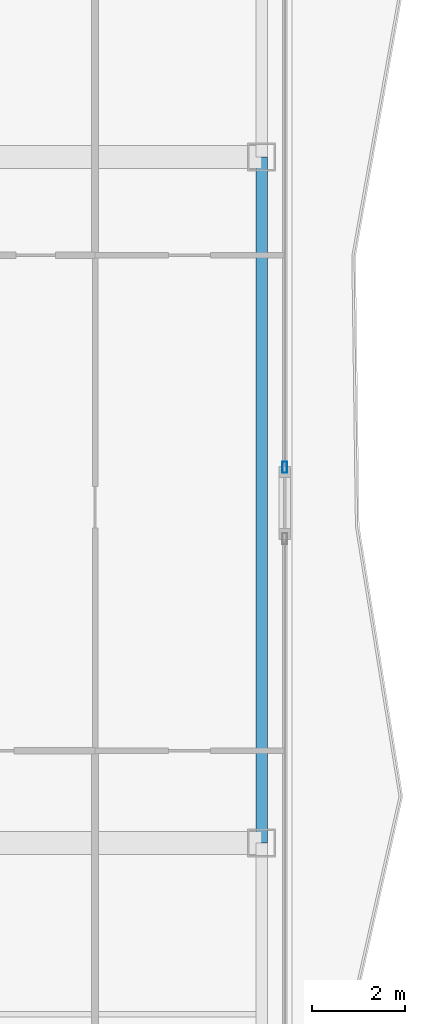
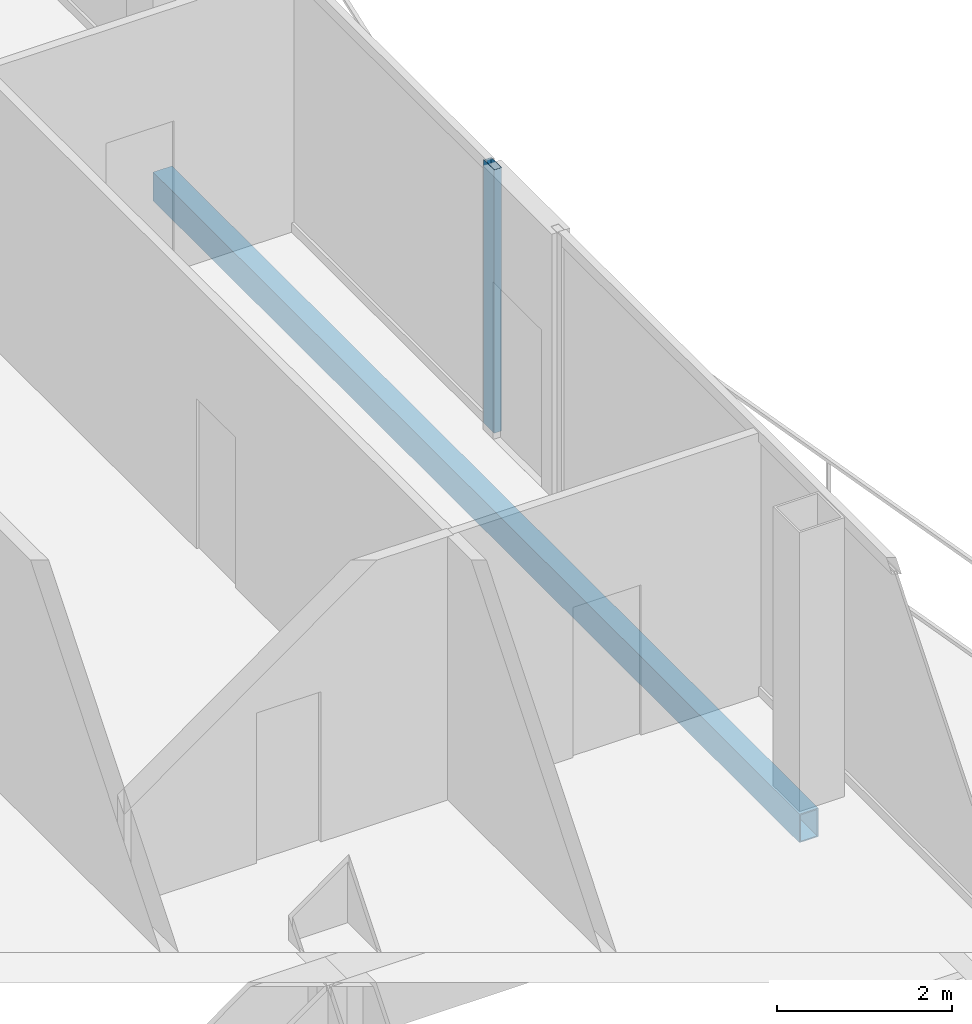
# One storey, part 12 of 26: 1 beam, 1 member, 1 element without a shape of its own.
"""IFC4 building model written with IfcOpenShell, lengths in metres."""

from ifc_helpers import new_model, si_unit, direction, frame, origin, origin_2d, place, context, subcontext, project, spatial, hollow_rectangle, extrude, material, layer, layer_set, material_profile, profile_set, type_object, element, aggregate, save


model = new_model("IFC4")

# Units and contexts
model_context = context("Model", 3, precision=1e-05, world=origin(), true_north=direction((0.0, 1.0)))
body_context = subcontext(model_context, "Body", "Model", "MODEL_VIEW")
ifc_project = project(units=[si_unit("LENGTHUNIT", "METRE"), si_unit("AREAUNIT", "SQUARE_METRE"), si_unit("VOLUMEUNIT", "CUBIC_METRE"), si_unit("PLANEANGLEUNIT", "RADIAN"), si_unit("MASSUNIT", "GRAM", prefix="KILO")], contexts=[model_context])

# Site, building, storey
site_placement = place(None, origin())
site = spatial("IfcSite", under=ifc_project, at=site_placement, CompositionType="ELEMENT")
building_placement = place(site_placement, origin())
building = spatial("IfcBuilding", under=site, at=building_placement, Name="Khorvyn Point Tower", CompositionType="ELEMENT")
storey_placement = place(building_placement, frame((0.0, 0.0, 219.60009765625)))
storey = spatial("IfcBuildingStorey", under=building, at=storey_placement, Name="L54", CompositionType="ELEMENT", Elevation=219.60009765625)

# Curtain wall, member
ifc_material_1 = material(Name="Anodised aluminium 6063-T6 and laminated Low-E glass", Category="aluminium")
ifc_layer = layer(ifc_material_1, 0.18994140625)
ifc_layer_set = layer_set([ifc_layer], Name="Stick-Built Acoustic Curtain Wall CW-SYS-03")
curtain_wall_type = type_object("IfcCurtainWallType", Name="Stick-Built Acoustic Curtain Wall CW-SYS-03", PredefinedType="NOTDEFINED", material=ifc_layer_set)
curtain_wall_placement = place(storey_placement, origin())
curtain_wall = element("IfcCurtainWall", 1, at=curtain_wall_placement, inside=storey, type_object=curtain_wall_type, Name="Curtain Wall", PredefinedType="NOTDEFINED")
ifc_material_2 = material(Name="Anodised aluminium 6063-T6", Category="aluminium")
ifc_material_profile_1 = material_profile(ifc_material_2, hollow_rectangle(XDim=0.10009765625, YDim=0.239990234375, WallThickness=0.0048828125, at=origin_2d()))
ifc_profile_set_1 = profile_set([ifc_material_profile_1], Name="Anodised aluminium 6063-T6 ALU-MUL-100x240")
member_type = type_object("IfcMemberType", Name="Anodised Aluminium 6063-T6 Mullion ALU-MUL-100x240", PredefinedType="MULLION", material=ifc_profile_set_1)
member_placement = place(storey_placement, frame((26.14990234375, 0.705078125, 0.0), z_axis=(0.0, 0.0, 1.0), x_axis=(1.0, 0.0, 0.0)))
member = element("IfcMember", 2, at=member_placement, type_object=member_type, Name="Transom", PredefinedType="MULLION", context=body_context, shape_type="SweptSolid", body=[
    extrude(hollow_rectangle(XDim=0.10009765625, YDim=0.239990234375, WallThickness=0.0048828125, at=origin_2d()), origin(), (0.0, 0.0, 1.0), 3.679931640625),
])
aggregate(curtain_wall, [member])

# Beam
ifc_material_3 = material(Name="Steel S355", Category="steel")
ifc_material_profile_2 = material_profile(ifc_material_3, hollow_rectangle(XDim=0.25, YDim=0.39990234375, WallThickness=0.01611328125, at=origin_2d()))
ifc_profile_set_2 = profile_set([ifc_material_profile_2], Name="Steel S355 RHS400x250x16")
beam_type = type_object("IfcBeamType", Name="Steel S355 Spandrel RHS400x250x16", PredefinedType="SPANDREL", material=ifc_profile_set_2)
beam_placement = place(storey_placement, frame((25.64990234375, -7.39990234375, -0.47998046875), z_axis=(0.0, 1.0, 0.0), x_axis=(-1.0, 0.0, 0.0)))
element("IfcBeam", 3, at=beam_placement, inside=storey, type_object=beam_type, Name="Beam", PredefinedType="SPANDREL", context=body_context, shape_type="SweptSolid", body=[
    extrude(hollow_rectangle(XDim=0.25, YDim=0.39990234375, WallThickness=0.01611328125, at=origin_2d()), origin(), (0.0, 0.0, 1.0), 14.7998046875),
])

save(model, "model.ifc")
